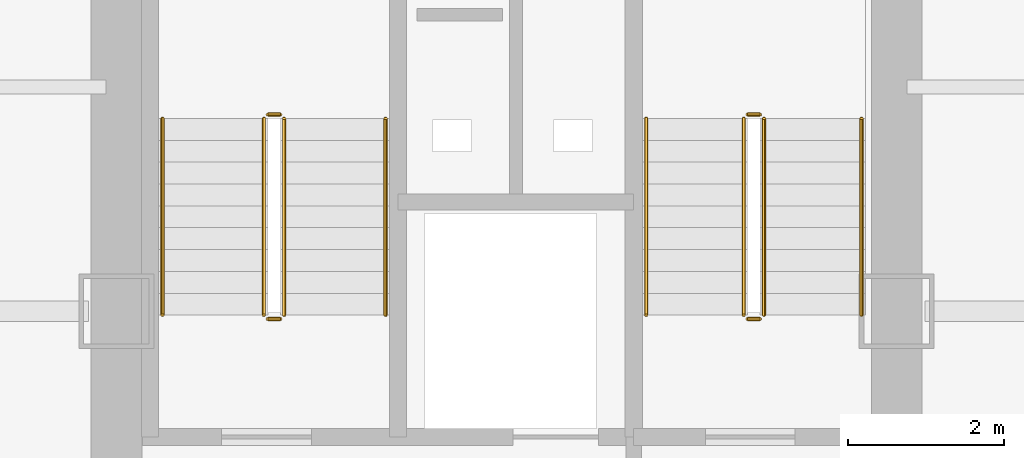
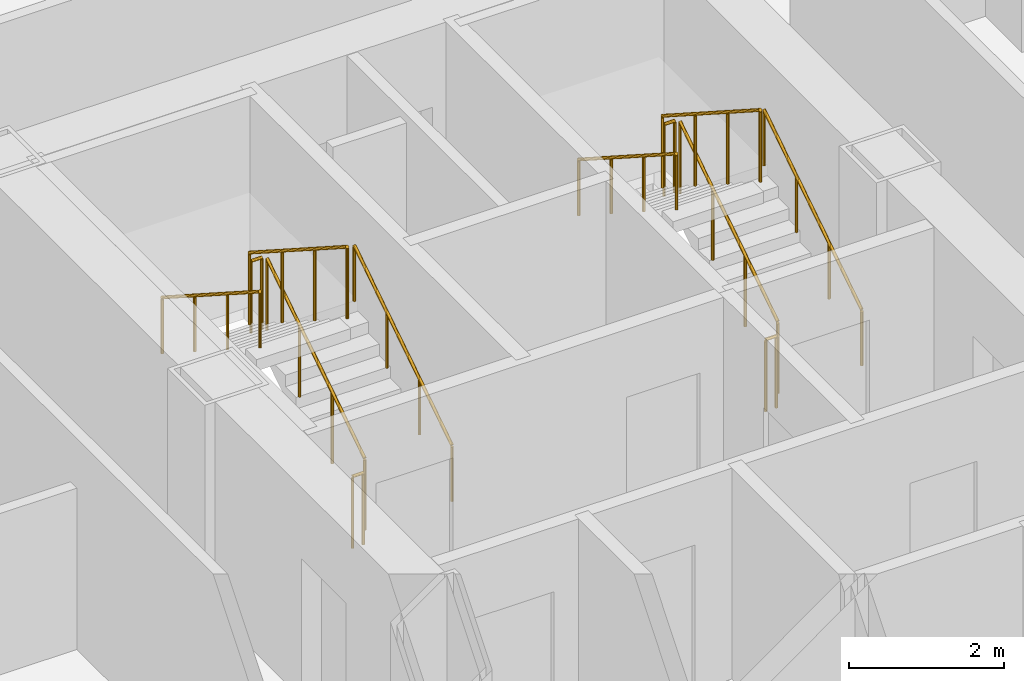
# One storey, part 20 of 21: 12 railings.
"""IFC4 building model written with IfcOpenShell, lengths in metres."""

import ifcopenshell
import ifcopenshell.guid

model = None  # the IFC model being written
_history = None  # IfcOwnerHistory: only IFC2X3 demands one
_inside = {}  # id of a spatial element -> (the spatial element, [elements in it])
_under = {}  # id of a project, library or spatial element -> (it, [spatial elements below it])
_declared = {}  # id of a project -> (the project, [libraries it declares])
_typed = {}  # id of a type object -> (the type object, [elements of that type])
_made_of = {}  # id of a material, layer set ... -> (it, [elements and type objects made of it])


def new_model(schema):
    """Start an empty IFC model of exactly this schema.

    Asked for "IFC4X3", IfcOpenShell would pick the latest addendum, in which some entities
    have other attributes; the version numbers below select the first issue.
    IFC2X3 requires an IfcOwnerHistory on every rooted entity: one is made here for all.
    """
    global model, _history
    if schema == "IFC4X3":
        model = ifcopenshell.file(schema_version=(4, 3, 0, 0))
    else:
        model = ifcopenshell.file(schema=schema)
    _inside.clear()
    _under.clear()
    _declared.clear()
    _typed.clear()
    _made_of.clear()
    _history = None
    if model.schema == "IFC2X3":
        org = make("IfcOrganization", Name="unknown")
        user = make(
            "IfcPersonAndOrganization",
            ThePerson=make("IfcPerson", FamilyName="unknown"),
            TheOrganization=org,
        )
        app = make(
            "IfcApplication",
            ApplicationDeveloper=org,
            Version="unknown",
            ApplicationFullName="unknown",
            ApplicationIdentifier="unknown",
        )
        _history = make(
            "IfcOwnerHistory",
            OwningUser=user,
            OwningApplication=app,
            ChangeAction="ADDED",
            CreationDate=0,
        )
    return model


def make(cls, **values):
    """One entity of the class cls with the attributes given. An attribute that is None is left unset."""
    return model.create_entity(
        cls, **{name: value for name, value in values.items() if value is not None}
    )


def rooted(cls, **values):
    """An entity with a GlobalId (a new one), such as an element, a storey or a relation."""
    return make(cls, GlobalId=ifcopenshell.guid.new(), OwnerHistory=_history, **values)


def si_unit(unit_type, name, prefix=None):
    """IfcSIUnit, for example si_unit("LENGTHUNIT", "METRE", prefix="MILLI")."""
    return make("IfcSIUnit", UnitType=unit_type, Prefix=prefix, Name=name)


def assignment(units):
    """IfcUnitAssignment: the units of a project."""
    return None if units is None else make("IfcUnitAssignment", Units=units)


def point(xyz):
    """IfcCartesianPoint."""
    return None if xyz is None else make("IfcCartesianPoint", Coordinates=xyz)


def direction(xyz):
    """IfcDirection."""
    return None if xyz is None else make("IfcDirection", DirectionRatios=xyz)


def frame(location, z_axis=None, x_axis=None):
    """IfcAxis2Placement3D, a coordinate frame: its origin and axes. An axis left out is left unset."""
    return make(
        "IfcAxis2Placement3D",
        Location=point(location),
        Axis=direction(z_axis),
        RefDirection=direction(x_axis),
    )


def frame_2d(location, x_axis=None):
    """IfcAxis2Placement2D, a coordinate frame in the plane: its origin and x axis."""
    return make(
        "IfcAxis2Placement2D", Location=point(location), RefDirection=direction(x_axis)
    )


def origin():
    """The frame at (0, 0, 0) with its axes left unset."""
    return frame((0.0, 0.0, 0.0))


def origin_2d():
    """The frame at (0, 0) in the plane with its x axis left unset."""
    return frame_2d((0.0, 0.0))


def place(relative_to, where):
    """IfcLocalPlacement: puts the frame where relative to a parent placement (None: the world)."""
    return make(
        "IfcLocalPlacement", PlacementRelTo=relative_to, RelativePlacement=where
    )


def context(
    kind, dimensions, precision=None, world=None, true_north=None, identifier=None
):
    """IfcGeometricRepresentationContext, for example the 3D "Model" context."""
    return make(
        "IfcGeometricRepresentationContext",
        ContextIdentifier=identifier,
        ContextType=kind,
        CoordinateSpaceDimension=dimensions,
        Precision=precision,
        WorldCoordinateSystem=world,
        TrueNorth=true_north,
    )


def subcontext(parent, identifier, kind, view, scale=None):
    """IfcGeometricRepresentationSubContext, for example "Body" below "Model"."""
    return make(
        "IfcGeometricRepresentationSubContext",
        ContextIdentifier=identifier,
        ContextType=kind,
        ParentContext=parent,
        TargetScale=scale,
        TargetView=view,
    )


def project(units=None, contexts=None):
    """IfcProject with its units and contexts."""
    return rooted(
        "IfcProject",
        Name="project",
        RepresentationContexts=contexts,
        UnitsInContext=assignment(units),
    )


def spatial(cls, under=None, at=None, **own):
    """A site, building, storey or space (cls), placed at a placement, below another one or the project."""
    s = rooted(cls, ObjectPlacement=at, **own)
    if under is not None:
        _under.setdefault(under.id(), (under, []))[1].append(s)
    return s


def profile(cls, at=None, kind="AREA", **sizes):
    """A parametric profile (cls). Its sizes go by their IFC names, for example OverallWidth=200.0."""
    return make(cls, ProfileType=kind, Position=at, **sizes)


def circle(**sizes):
    """IfcCircleProfileDef."""
    return profile("IfcCircleProfileDef", **sizes)


def extrude(swept, where, along, depth):
    """IfcExtrudedAreaSolid: the profile swept, set in the frame where, extruded along a direction by depth."""
    return make(
        "IfcExtrudedAreaSolid",
        SweptArea=swept,
        Position=where,
        ExtrudedDirection=direction(along),
        Depth=depth,
    )


def shape(context_of_items, identifier, shape_type, items):
    """IfcShapeRepresentation: the items that make up one representation, for example the "Body"."""
    return make(
        "IfcShapeRepresentation",
        ContextOfItems=context_of_items,
        RepresentationIdentifier=identifier,
        RepresentationType=shape_type,
        Items=items,
    )


def material(Name=None, Category=None):
    """IfcMaterial."""
    return make("IfcMaterial", Name=Name, Category=Category)


def made_of(thing, what):
    """Note that an element or type object is made of a material, layer set ...; save() writes the relation."""
    if what is not None:
        _made_of.setdefault(what.id(), (what, []))[1].append(thing)
    return thing


def type_object(cls, material=None, **own):
    """A type object (cls), such as IfcWallType, which elements share."""
    return made_of(rooted(cls, **own), material)


def element(
    cls,
    number,
    at=None,
    inside=None,
    cuts=None,
    type_object=None,
    material=None,
    context=None,
    identifier="Body",
    shape_type=None,
    held_by="IfcProductDefinitionShape",
    body=None,
    shapes=None,
    **own,
):
    """One element of the class cls, such as IfcWall. Its Tag is "e" and its number.

    at: its placement. inside: the storey or other place that contains it. cuts: it is an
    opening in that element (IfcRelVoidsElement). A single representation is given by context,
    identifier, shape_type and body (its items); several are given by shapes. held_by: the class
    of the entity that holds the representations. save() writes the other relations.
    """
    e = rooted(cls, Tag="e%d" % number, ObjectPlacement=at, **own)
    if body is not None:
        shapes = [shape(context, identifier, shape_type, body)]
    if shapes is not None:
        e.Representation = make(held_by, Representations=shapes)
    if inside is not None:
        _inside.setdefault(inside.id(), (inside, []))[1].append(e)
    if cuts is not None:
        rooted(
            "IfcRelVoidsElement", RelatingBuildingElement=cuts, RelatedOpeningElement=e
        )
    if type_object is not None:
        _typed.setdefault(type_object.id(), (type_object, []))[1].append(e)
    return made_of(e, material)


def aggregate(whole, parts):
    """IfcRelAggregates: a whole, such as a stair, and the parts it consists of."""
    return rooted("IfcRelAggregates", RelatingObject=whole, RelatedObjects=parts)


def save(model, path):
    """Write the relations noted so far, then the file.

    IfcRelAggregates (storeys below a building ...), IfcRelContainedInSpatialStructure (elements
    in a storey), IfcRelDefinesByType, IfcRelAssociatesMaterial and IfcRelDeclares: one each for
    every whole, place, type object, material and project.
    """
    for whole, parts in _under.values():
        aggregate(whole, parts)
    for where, things in _inside.values():
        rooted(
            "IfcRelContainedInSpatialStructure",
            RelatedElements=things,
            RelatingStructure=where,
        )
    for kind, things in _typed.values():
        rooted("IfcRelDefinesByType", RelatedObjects=things, RelatingType=kind)
    for what, things in _made_of.values():
        rooted("IfcRelAssociatesMaterial", RelatedObjects=things, RelatingMaterial=what)
    for by, libraries in _declared.values():
        rooted("IfcRelDeclares", RelatingContext=by, RelatedDefinitions=libraries)
    model.write(path)


model = new_model("IFC4")

# Units and contexts
model_context = context("Model", 3, precision=1e-05, world=origin(), true_north=direction((0.0, 1.0)))
body_context = subcontext(model_context, "Body", "Model", "MODEL_VIEW")
ifc_project = project(units=[si_unit("LENGTHUNIT", "METRE"), si_unit("AREAUNIT", "SQUARE_METRE"), si_unit("VOLUMEUNIT", "CUBIC_METRE"), si_unit("PLANEANGLEUNIT", "RADIAN"), si_unit("MASSUNIT", "GRAM", prefix="KILO")], contexts=[model_context])

# Site, building, storey
site_placement = place(None, origin())
site = spatial("IfcSite", under=ifc_project, at=site_placement, CompositionType="ELEMENT")
building_placement = place(site_placement, origin())
building = spatial("IfcBuilding", under=site, at=building_placement, Name="Kolveth Station Tower", CompositionType="ELEMENT")
storey_placement = place(building_placement, frame((0.0, 0.0, 26.10009765625)))
storey = spatial("IfcBuildingStorey", under=building, at=storey_placement, Name="L06", CompositionType="ELEMENT", Elevation=26.10009765625)

# Railings
ifc_material_1 = material(Name="Painted Steel S355 balustrade", Category="steel")
railing_type_1 = type_object("IfcRailingType", Name="Guard_GR2", PredefinedType="BALUSTRADE", material=ifc_material_1)
railing_1_placement = place(storey_placement, frame((20.64990234375, 22.949951171875, 0.179931640625)))
element("IfcRailing", 1, at=railing_1_placement, inside=storey, type_object=railing_type_1, Name="L06 ST1 stair guard 1", PredefinedType="BALUSTRADE", context=body_context, shape_type="SweptSolid", body=[
    extrude(circle(Radius=0.02392578125, at=origin_2d()), frame((0.0, 0.0, 1.1259765625), z_axis=(0.0, 0.841199657755, 0.540724639528), x_axis=(-1.0, 0.0, 0.0)), (0.0, 0.0, 1.0), 2.995849609375),
    extrude(circle(Radius=0.02099609375, at=origin_2d()), origin(), (0.0, 0.0, 1.0), 1.101806640625),
    extrude(circle(Radius=0.02099609375, at=origin_2d()), frame((0.0, 0.840087890625, 0.5400390625)), (0.0, 0.0, 1.0), 1.101806640625),
    extrude(circle(Radius=0.02099609375, at=origin_2d()), frame((0.0, 1.679931640625, 1.079833984375)), (0.0, 0.0, 1.0), 1.101806640625),
    extrude(circle(Radius=0.02099609375, at=origin_2d()), frame((0.0, 2.52001953125, 1.619873046875)), (0.0, 0.0, 1.0), 1.101806640625),
])
railing_2_placement = place(storey_placement, frame((20.60009765625, 25.52001953125, 1.7998046875)))
element("IfcRailing", 2, at=railing_2_placement, inside=storey, type_object=railing_type_1, Name="L06 ST1 stair guard 2", PredefinedType="BALUSTRADE", context=body_context, shape_type="SweptSolid", body=[
    extrude(circle(Radius=0.02392578125, at=origin_2d()), frame((0.0, 0.0, 1.1259765625), z_axis=(-1.0, 0.0, 0.0), x_axis=(0.0, -1.0, 0.0)), (0.0, 0.0, 1.0), 0.16015625),
    extrude(circle(Radius=0.02099609375, at=origin_2d()), origin(), (0.0, 0.0, 1.0), 1.101806640625),
    extrude(circle(Radius=0.02099609375, at=origin_2d()), frame((-0.16015625, 0.0, 0.0)), (0.0, 0.0, 1.0), 1.101806640625),
])
railing_3_placement = place(storey_placement, frame((20.389892578125, 25.469970703125, 1.97998046875)))
element("IfcRailing", 3, at=railing_3_placement, inside=storey, type_object=railing_type_1, Name="L06 ST1 stair guard 3", PredefinedType="BALUSTRADE", context=body_context, shape_type="SweptSolid", body=[
    extrude(circle(Radius=0.02392578125, at=origin_2d()), frame((0.0, 0.0, 1.1259765625), z_axis=(0.0, -0.841199657755, 0.540724639528), x_axis=(1.0, 0.0, 0.0)), (0.0, 0.0, 1.0), 2.995849609375),
    extrude(circle(Radius=0.02099609375, at=origin_2d()), origin(), (0.0, 0.0, 1.0), 1.101806640625),
    extrude(circle(Radius=0.02099609375, at=origin_2d()), frame((0.0, -0.840087890625, 0.5400390625)), (0.0, 0.0, 1.0), 1.101806640625),
    extrude(circle(Radius=0.02099609375, at=origin_2d()), frame((0.0, -1.679931640625, 1.079833984375)), (0.0, 0.0, 1.0), 1.101806640625),
    extrude(circle(Radius=0.02099609375, at=origin_2d()), frame((0.0, -2.52001953125, 1.619873046875)), (0.0, 0.0, 1.0), 1.101806640625),
])
railing_4_placement = place(storey_placement, frame((20.60009765625, 22.89990234375, 0.0)))
element("IfcRailing", 4, at=railing_4_placement, inside=storey, type_object=railing_type_1, Name="L06 ST1 stair guard 4", PredefinedType="BALUSTRADE", context=body_context, shape_type="SweptSolid", body=[
    extrude(circle(Radius=0.02392578125, at=origin_2d()), frame((0.0, 0.0, 1.1259765625), z_axis=(-1.0, 0.0, 0.0), x_axis=(0.0, -1.0, 0.0)), (0.0, 0.0, 1.0), 0.16015625),
    extrude(circle(Radius=0.02099609375, at=origin_2d()), origin(), (0.0, 0.0, 1.0), 1.101806640625),
    extrude(circle(Radius=0.02099609375, at=origin_2d()), frame((-0.16015625, 0.0, 0.0)), (0.0, 0.0, 1.0), 1.101806640625),
])
railing_5_placement = place(storey_placement, frame((26.800048828125, 22.949951171875, 0.179931640625)))
element("IfcRailing", 5, at=railing_5_placement, inside=storey, type_object=railing_type_1, Name="L06 ST2 stair guard 1", PredefinedType="BALUSTRADE", context=body_context, shape_type="SweptSolid", body=[
    extrude(circle(Radius=0.02392578125, at=origin_2d()), frame((0.0, 0.0, 1.1259765625), z_axis=(0.0, 0.841199657755, 0.540724639528), x_axis=(-1.0, 0.0, 0.0)), (0.0, 0.0, 1.0), 2.995849609375),
    extrude(circle(Radius=0.02099609375, at=origin_2d()), origin(), (0.0, 0.0, 1.0), 1.101806640625),
    extrude(circle(Radius=0.02099609375, at=origin_2d()), frame((0.0, 0.840087890625, 0.5400390625)), (0.0, 0.0, 1.0), 1.101806640625),
    extrude(circle(Radius=0.02099609375, at=origin_2d()), frame((0.0, 1.679931640625, 1.079833984375)), (0.0, 0.0, 1.0), 1.101806640625),
    extrude(circle(Radius=0.02099609375, at=origin_2d()), frame((0.0, 2.52001953125, 1.619873046875)), (0.0, 0.0, 1.0), 1.101806640625),
])
railing_6_placement = place(storey_placement, frame((26.75, 25.52001953125, 1.7998046875)))
element("IfcRailing", 6, at=railing_6_placement, inside=storey, type_object=railing_type_1, Name="L06 ST2 stair guard 2", PredefinedType="BALUSTRADE", context=body_context, shape_type="SweptSolid", body=[
    extrude(circle(Radius=0.02392578125, at=origin_2d()), frame((0.0, 0.0, 1.1259765625), z_axis=(-1.0, 0.0, 0.0), x_axis=(0.0, -1.0, 0.0)), (0.0, 0.0, 1.0), 0.159912109375),
    extrude(circle(Radius=0.02099609375, at=origin_2d()), origin(), (0.0, 0.0, 1.0), 1.101806640625),
    extrude(circle(Radius=0.02099609375, at=origin_2d()), frame((-0.159912109375, 0.0, 0.0)), (0.0, 0.0, 1.0), 1.101806640625),
])
railing_7_placement = place(storey_placement, frame((26.5400390625, 25.469970703125, 1.97998046875)))
element("IfcRailing", 7, at=railing_7_placement, inside=storey, type_object=railing_type_1, Name="L06 ST2 stair guard 3", PredefinedType="BALUSTRADE", context=body_context, shape_type="SweptSolid", body=[
    extrude(circle(Radius=0.02392578125, at=origin_2d()), frame((0.0, 0.0, 1.1259765625), z_axis=(0.0, -0.841199657755, 0.540724639528), x_axis=(1.0, 0.0, 0.0)), (0.0, 0.0, 1.0), 2.995849609375),
    extrude(circle(Radius=0.02099609375, at=origin_2d()), origin(), (0.0, 0.0, 1.0), 1.101806640625),
    extrude(circle(Radius=0.02099609375, at=origin_2d()), frame((0.0, -0.840087890625, 0.5400390625)), (0.0, 0.0, 1.0), 1.101806640625),
    extrude(circle(Radius=0.02099609375, at=origin_2d()), frame((0.0, -1.679931640625, 1.079833984375)), (0.0, 0.0, 1.0), 1.101806640625),
    extrude(circle(Radius=0.02099609375, at=origin_2d()), frame((0.0, -2.52001953125, 1.619873046875)), (0.0, 0.0, 1.0), 1.101806640625),
])
railing_8_placement = place(storey_placement, frame((26.75, 22.89990234375, 0.0)))
element("IfcRailing", 8, at=railing_8_placement, inside=storey, type_object=railing_type_1, Name="L06 ST2 stair guard 4", PredefinedType="BALUSTRADE", context=body_context, shape_type="SweptSolid", body=[
    extrude(circle(Radius=0.02392578125, at=origin_2d()), frame((0.0, 0.0, 1.1259765625), z_axis=(-1.0, 0.0, 0.0), x_axis=(0.0, -1.0, 0.0)), (0.0, 0.0, 1.0), 0.159912109375),
    extrude(circle(Radius=0.02099609375, at=origin_2d()), origin(), (0.0, 0.0, 1.0), 1.101806640625),
    extrude(circle(Radius=0.02099609375, at=origin_2d()), frame((-0.159912109375, 0.0, 0.0)), (0.0, 0.0, 1.0), 1.101806640625),
])
ifc_material_2 = material(Name="Brushed stainless steel", Category="steel")
railing_type_2 = type_object("IfcRailingType", Name="Handrail_HR1", PredefinedType="HANDRAIL", material=ifc_material_2)
railing_9_placement = place(storey_placement, frame((21.949951171875, 22.949951171875, 0.179931640625)))
element("IfcRailing", 9, at=railing_9_placement, inside=storey, type_object=railing_type_2, Name="L06 ST1 stair handrail 1", PredefinedType="HANDRAIL", context=body_context, shape_type="SweptSolid", body=[
    extrude(circle(Radius=0.02392578125, at=origin_2d()), frame((0.0, 0.0, 0.8759765625), z_axis=(0.0, 0.841199657755, 0.540724639528), x_axis=(-1.0, 0.0, 0.0)), (0.0, 0.0, 1.0), 2.995849609375),
    extrude(circle(Radius=0.02099609375, at=origin_2d()), origin(), (0.0, 0.0, 1.0), 0.851806640625),
    extrude(circle(Radius=0.02099609375, at=origin_2d()), frame((0.0, 0.840087890625, 0.5400390625)), (0.0, 0.0, 1.0), 0.851806640625),
    extrude(circle(Radius=0.02099609375, at=origin_2d()), frame((0.0, 1.679931640625, 1.079833984375)), (0.0, 0.0, 1.0), 0.851806640625),
    extrude(circle(Radius=0.02099609375, at=origin_2d()), frame((0.0, 2.52001953125, 1.619873046875)), (0.0, 0.0, 1.0), 0.851806640625),
])
railing_10_placement = place(storey_placement, frame((19.090087890625, 25.469970703125, 1.97998046875)))
element("IfcRailing", 10, at=railing_10_placement, inside=storey, type_object=railing_type_2, Name="L06 ST1 stair handrail 2", PredefinedType="HANDRAIL", context=body_context, shape_type="SweptSolid", body=[
    extrude(circle(Radius=0.02392578125, at=origin_2d()), frame((0.0, 0.0, 0.8759765625), z_axis=(0.0, -0.841199657755, 0.540724639528), x_axis=(1.0, 0.0, 0.0)), (0.0, 0.0, 1.0), 2.995849609375),
    extrude(circle(Radius=0.02099609375, at=origin_2d()), origin(), (0.0, 0.0, 1.0), 0.851806640625),
    extrude(circle(Radius=0.02099609375, at=origin_2d()), frame((0.0, -0.840087890625, 0.5400390625)), (0.0, 0.0, 1.0), 0.851806640625),
    extrude(circle(Radius=0.02099609375, at=origin_2d()), frame((0.0, -1.679931640625, 1.079833984375)), (0.0, 0.0, 1.0), 0.851806640625),
    extrude(circle(Radius=0.02099609375, at=origin_2d()), frame((0.0, -2.52001953125, 1.619873046875)), (0.0, 0.0, 1.0), 0.851806640625),
])
railing_11_placement = place(storey_placement, frame((28.050048828125, 22.949951171875, 0.179931640625)))
element("IfcRailing", 11, at=railing_11_placement, inside=storey, type_object=railing_type_2, Name="L06 ST2 stair handrail 1", PredefinedType="HANDRAIL", context=body_context, shape_type="SweptSolid", body=[
    extrude(circle(Radius=0.02392578125, at=origin_2d()), frame((0.0, 0.0, 0.8759765625), z_axis=(0.0, 0.841199657755, 0.540724639528), x_axis=(-1.0, 0.0, 0.0)), (0.0, 0.0, 1.0), 2.995849609375),
    extrude(circle(Radius=0.02099609375, at=origin_2d()), origin(), (0.0, 0.0, 1.0), 0.851806640625),
    extrude(circle(Radius=0.02099609375, at=origin_2d()), frame((0.0, 0.840087890625, 0.5400390625)), (0.0, 0.0, 1.0), 0.851806640625),
    extrude(circle(Radius=0.02099609375, at=origin_2d()), frame((0.0, 1.679931640625, 1.079833984375)), (0.0, 0.0, 1.0), 0.851806640625),
    extrude(circle(Radius=0.02099609375, at=origin_2d()), frame((0.0, 2.52001953125, 1.619873046875)), (0.0, 0.0, 1.0), 0.851806640625),
])
railing_12_placement = place(storey_placement, frame((25.2900390625, 25.469970703125, 1.97998046875)))
element("IfcRailing", 12, at=railing_12_placement, inside=storey, type_object=railing_type_2, Name="L06 ST2 stair handrail 2", PredefinedType="HANDRAIL", context=body_context, shape_type="SweptSolid", body=[
    extrude(circle(Radius=0.02392578125, at=origin_2d()), frame((0.0, 0.0, 0.8759765625), z_axis=(0.0, -0.841199657755, 0.540724639528), x_axis=(1.0, 0.0, 0.0)), (0.0, 0.0, 1.0), 2.995849609375),
    extrude(circle(Radius=0.02099609375, at=origin_2d()), origin(), (0.0, 0.0, 1.0), 0.851806640625),
    extrude(circle(Radius=0.02099609375, at=origin_2d()), frame((0.0, -0.840087890625, 0.5400390625)), (0.0, 0.0, 1.0), 0.851806640625),
    extrude(circle(Radius=0.02099609375, at=origin_2d()), frame((0.0, -1.679931640625, 1.079833984375)), (0.0, 0.0, 1.0), 0.851806640625),
    extrude(circle(Radius=0.02099609375, at=origin_2d()), frame((0.0, -2.52001953125, 1.619873046875)), (0.0, 0.0, 1.0), 0.851806640625),
])

save(model, "model.ifc")
